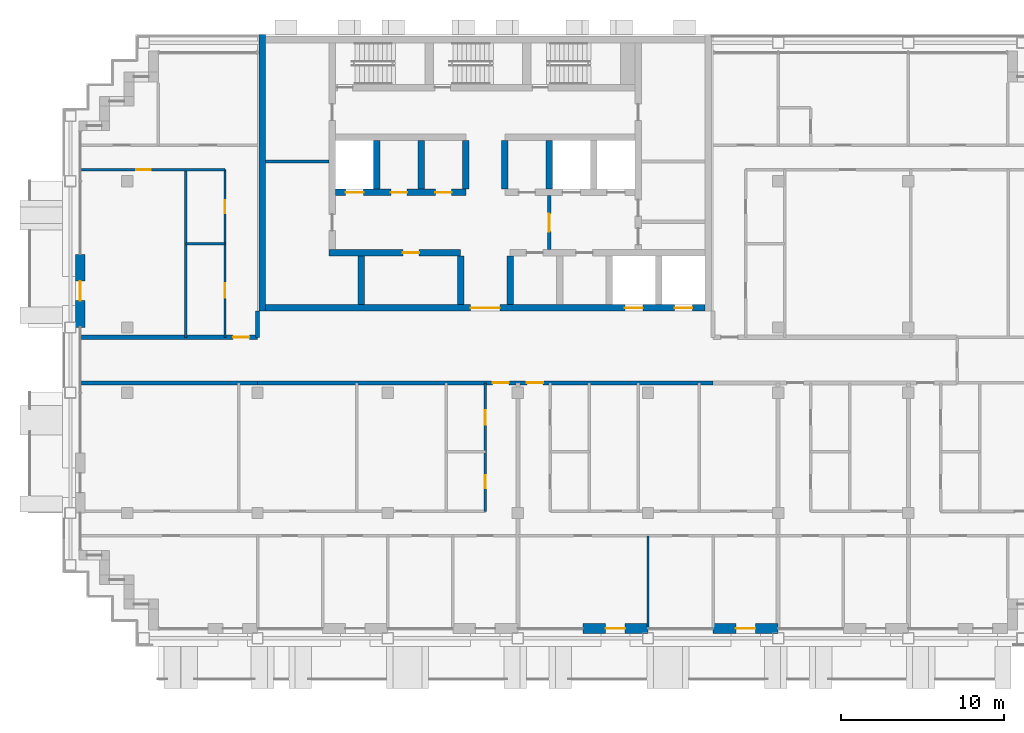
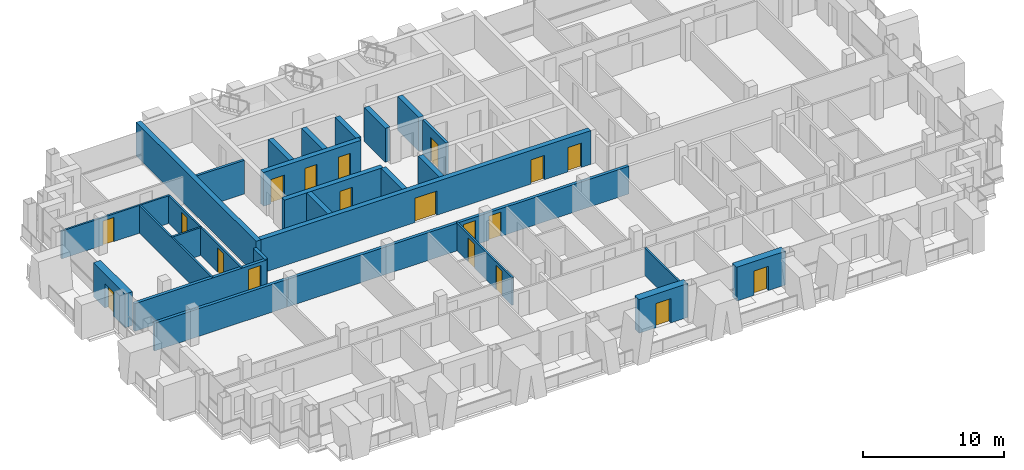
# One storey, part 8 of 16: 27 walls, 19 doors, 19 openings.
"""IFC4 building model written with IfcOpenShell, lengths in metres."""

from ifc_helpers import new_model, si_unit, direction, frame, frame_2d, origin, place, context, subcontext, project, spatial, rectangle, extrude, material, layer, layer_set, type_object, element, fill, save


model = new_model("IFC4")

# Units and contexts
model_context = context("Model", 3, precision=1e-05, world=origin(), true_north=direction((0.0, 1.0)))
body_context = subcontext(model_context, "Body", "Model", "MODEL_VIEW")
ifc_project = project(units=[si_unit("LENGTHUNIT", "METRE"), si_unit("AREAUNIT", "SQUARE_METRE"), si_unit("VOLUMEUNIT", "CUBIC_METRE"), si_unit("PLANEANGLEUNIT", "RADIAN"), si_unit("MASSUNIT", "GRAM", prefix="KILO")], contexts=[model_context])

# Site, building, storey
site_placement = place(None, origin())
site = spatial("IfcSite", under=ifc_project, at=site_placement, CompositionType="ELEMENT")
building_placement = place(site_placement, origin())
building = spatial("IfcBuilding", under=site, at=building_placement, Name="Vidyagriha Tower", CompositionType="ELEMENT")
storey_placement = place(building_placement, frame((0.0, 0.0, 174.89990234375)))
storey = spatial("IfcBuildingStorey", under=building, at=storey_placement, Name="L45", CompositionType="ELEMENT", Elevation=174.89990234375)

# Wall, opening, door
ifc_material_1 = material(Name="Precast concrete C40/50 with brick facing", Category="concrete")
ifc_layer_1 = layer(ifc_material_1, 0.60009765625)
ifc_layer_set_1 = layer_set([ifc_layer_1], Name="Precast concrete C40/50 with brick facing")
wall_type_1 = type_object("IfcWallType", Name="Brick-faced precast wall 600", PredefinedType="STANDARD", material=ifc_layer_set_1)
wall_1_placement = place(storey_placement, frame((-24.89990234375, 6.5, 0.0), z_axis=(0.0, 0.0, 1.0), x_axis=(0.0, -1.0, 0.0)))
wall_1 = element("IfcWall", 1, at=wall_1_placement, inside=storey, type_object=wall_type_1, Name="Brick door bay wall L45 R16.3", PredefinedType="STANDARD", context=body_context, shape_type="SweptSolid", body=[
    extrude(rectangle(XDim=4.5, YDim=0.60009765625, at=frame_2d((2.25, 0.0))), origin(), (0.0, 0.0, 1.0), 2.920166015625),
])
opening_1_placement = place(wall_1_placement, frame((1.64990234375, 0.0, 0.0)))
opening_1 = element("IfcOpeningElement", 2, at=opening_1_placement, cuts=wall_1, Name="Opening D45-67", PredefinedType="OPENING", context=body_context, shape_type="SweptSolid", body=[
    extrude(rectangle(XDim=1.199951171875, YDim=2.10009765625, at=frame_2d((0.60009765625, 1.050048828125))), frame((0.0, 0.31005859375, 0.0), z_axis=(0.0, -1.0, 0.0), x_axis=(1.0, 0.0, 0.0)), (0.0, 0.0, 1.0), 0.6201171875),
])
ifc_material_2 = material(Name="Aluminium framed glazed sliding door", Category="aluminium")
door_type_1 = type_object("IfcDoorType", Name="Balcony sliding door 1200x2100", OperationType="NOTDEFINED", PredefinedType="DOOR", material=ifc_material_2)
door_1_placement = place(opening_1_placement, origin())
door_1 = element("IfcDoor", 3, at=door_1_placement, inside=storey, type_object=door_type_1, Name="Door D45-67", OperationType="SLIDING_TO_LEFT", OverallHeight=2.10009765625, OverallWidth=1.199951171875, PredefinedType="DOOR", context=body_context, shape_type="SweptSolid", body=[
    extrude(rectangle(XDim=1.199951171875, YDim=2.10009765625, at=frame_2d((0.60009765625, 1.050048828125))), frame((0.0, 0.02490234375, 0.0), z_axis=(0.0, -1.0, 0.0), x_axis=(1.0, 0.0, 0.0)), (0.0, 0.0, 1.0), 0.050048828125),
])
fill(opening_1, door_1)

wall_2_placement = place(storey_placement, frame((6.0, -16.5, 0.0)))
wall_2 = element("IfcWall", 4, at=wall_2_placement, inside=storey, type_object=wall_type_1, Name="Brick door bay wall L45 R23.8", PredefinedType="STANDARD", context=body_context, shape_type="SweptSolid", body=[
    extrude(rectangle(XDim=4.0, YDim=0.60009765625, at=frame_2d((2.0, 0.0))), origin(), (0.0, 0.0, 1.0), 2.920166015625),
])
opening_2_placement = place(wall_2_placement, frame((1.39990234375, 0.0, 0.0)))
opening_2 = element("IfcOpeningElement", 5, at=opening_2_placement, cuts=wall_2, Name="Opening D45-72", PredefinedType="OPENING", context=body_context, shape_type="SweptSolid", body=[
    extrude(rectangle(XDim=1.199951171875, YDim=2.10009765625, at=frame_2d((0.60009765625, 1.050048828125))), frame((0.0, 0.31005859375, 0.0), z_axis=(0.0, -1.0, 0.0), x_axis=(1.0, 0.0, 0.0)), (0.0, 0.0, 1.0), 0.6201171875),
])
door_2_placement = place(opening_2_placement, origin())
door_2 = element("IfcDoor", 6, at=door_2_placement, inside=storey, type_object=door_type_1, Name="Door D45-72", OperationType="SLIDING_TO_LEFT", OverallHeight=2.10009765625, OverallWidth=1.199951171875, PredefinedType="DOOR", context=body_context, shape_type="SweptSolid", body=[
    extrude(rectangle(XDim=1.199951171875, YDim=2.10009765625, at=frame_2d((0.60009765625, 1.050048828125))), frame((0.0, 0.02490234375, 0.0), z_axis=(0.0, -1.0, 0.0), x_axis=(1.0, 0.0, 0.0)), (0.0, 0.0, 1.0), 0.050048828125),
])
fill(opening_2, door_2)

wall_3_placement = place(storey_placement, frame((14.0, -16.5, 0.0)))
wall_3 = element("IfcWall", 7, at=wall_3_placement, inside=storey, type_object=wall_type_1, Name="Brick door bay wall L45 R23.10", PredefinedType="STANDARD", context=body_context, shape_type="SweptSolid", body=[
    extrude(rectangle(XDim=4.0, YDim=0.60009765625, at=frame_2d((2.0, 0.0))), origin(), (0.0, 0.0, 1.0), 2.920166015625),
])
opening_3_placement = place(wall_3_placement, frame((1.39990234375, 0.0, 0.0)))
opening_3 = element("IfcOpeningElement", 8, at=opening_3_placement, cuts=wall_3, Name="Opening D45-73", PredefinedType="OPENING", context=body_context, shape_type="SweptSolid", body=[
    extrude(rectangle(XDim=1.199951171875, YDim=2.10009765625, at=frame_2d((0.60009765625, 1.050048828125))), frame((0.0, 0.31005859375, 0.0), z_axis=(0.0, -1.0, 0.0), x_axis=(1.0, 0.0, 0.0)), (0.0, 0.0, 1.0), 0.6201171875),
])
door_3_placement = place(opening_3_placement, origin())
door_3 = element("IfcDoor", 9, at=door_3_placement, inside=storey, type_object=door_type_1, Name="Door D45-73", OperationType="SLIDING_TO_LEFT", OverallHeight=2.10009765625, OverallWidth=1.199951171875, PredefinedType="DOOR", context=body_context, shape_type="SweptSolid", body=[
    extrude(rectangle(XDim=1.199951171875, YDim=2.10009765625, at=frame_2d((0.60009765625, 1.050048828125))), frame((0.0, 0.02490234375, 0.0), z_axis=(0.0, -1.0, 0.0), x_axis=(1.0, 0.0, 0.0)), (0.0, 0.0, 1.0), 0.050048828125),
])
fill(opening_3, door_3)

# Wall
ifc_material_3 = material(Name="Concrete C60/75", Category="concrete")
ifc_layer_2 = layer(ifc_material_3, 0.39990234375)
ifc_layer_set_2 = layer_set([ifc_layer_2], Name="Concrete C60/75")
wall_type_2 = type_object("IfcWallType", Name="Core shear wall 400 mm", PredefinedType="SHEAR", material=ifc_layer_set_2)
wall_4_placement = place(storey_placement, frame((-13.699951171875, 3.0, 0.0), z_axis=(0.0, 0.0, 1.0), x_axis=(0.0, 1.0, 0.0)))
element("IfcWall", 10, at=wall_4_placement, inside=storey, type_object=wall_type_2, Name="Core west wall", PredefinedType="SHEAR", context=body_context, shape_type="SweptSolid", body=[
    extrude(rectangle(XDim=17.0, YDim=0.39990234375, at=frame_2d((8.5, 0.0))), origin(), (0.0, 0.0, 1.0), 2.920166015625),
])

# Wall, openings, doors
wall_5_placement = place(storey_placement, frame((-13.5, 3.199951171875, 0.0)))
wall_5 = element("IfcWall", 11, at=wall_5_placement, inside=storey, type_object=wall_type_2, Name="Core front wall", PredefinedType="SHEAR", context=body_context, shape_type="SweptSolid", body=[
    extrude(rectangle(XDim=27.0, YDim=0.39990234375, at=frame_2d((13.5, 0.0))), origin(), (0.0, 0.0, 1.0), 2.920166015625),
])
opening_4_placement = place(wall_5_placement, frame((22.083251953125, 0.0, 0.0)))
opening_4 = element("IfcOpeningElement", 12, at=opening_4_placement, cuts=wall_5, Name="Opening LD45-01", PredefinedType="OPENING", context=body_context, shape_type="SweptSolid", body=[
    extrude(rectangle(XDim=1.10009765625, YDim=2.10009765625, at=frame_2d((0.550048828125, 1.050048828125))), frame((0.0, 0.2099609375, 0.0), z_axis=(0.0, -1.0, 0.0), x_axis=(1.0, 0.0, 0.0)), (0.0, 0.0, 1.0), 0.419921875),
])
opening_5_placement = place(wall_5_placement, frame((25.127685546875, 0.0, 0.0)))
opening_5 = element("IfcOpeningElement", 13, at=opening_5_placement, cuts=wall_5, Name="Opening LD45-02", PredefinedType="OPENING", context=body_context, shape_type="SweptSolid", body=[
    extrude(rectangle(XDim=1.10009765625, YDim=2.10009765625, at=frame_2d((0.550048828125, 1.050048828125))), frame((0.0, 0.2099609375, 0.0), z_axis=(0.0, -1.0, 0.0), x_axis=(1.0, 0.0, 0.0)), (0.0, 0.0, 1.0), 0.419921875),
])
opening_6_placement = place(wall_5_placement, frame((12.60009765625, 0.0, 0.0)))
opening_6 = element("IfcOpeningElement", 14, at=opening_6_placement, cuts=wall_5, Name="Opening D45-01", PredefinedType="OPENING", context=body_context, shape_type="SweptSolid", body=[
    extrude(rectangle(XDim=1.800048828125, YDim=2.10009765625, at=frame_2d((0.89990234375, 1.050048828125))), frame((0.0, 0.2099609375, 0.0), z_axis=(0.0, -1.0, 0.0), x_axis=(1.0, 0.0, 0.0)), (0.0, 0.0, 1.0), 0.419921875),
])
ifc_material_4 = material(Name="Hollow metal door leaf")
door_type_2 = type_object("IfcDoorType", Name="Core lobby double door 1800 x 2100 mm EI 60", OperationType="NOTDEFINED", PredefinedType="DOOR", material=ifc_material_4)
door_4_placement = place(opening_6_placement, frame((1.800048828125, 0.0, 0.0), z_axis=(0.0, 0.0, 1.0), x_axis=(-1.0, 0.0, 0.0)))
door_4 = element("IfcDoor", 15, at=door_4_placement, inside=storey, type_object=door_type_2, Name="Core entrance door L45", OperationType="DOUBLE_DOOR_SINGLE_SWING", OverallHeight=2.10009765625, OverallWidth=1.800048828125, PredefinedType="DOOR", context=body_context, shape_type="SweptSolid", body=[
    extrude(rectangle(XDim=1.800048828125, YDim=2.10009765625, at=frame_2d((0.89990234375, 1.050048828125))), frame((0.0, 0.02490234375, 0.0), z_axis=(0.0, -1.0, 0.0), x_axis=(1.0, 0.0, 0.0)), (0.0, 0.0, 1.0), 0.050048828125),
])
fill(opening_6, door_4)
ifc_material_5 = material(Name="Stainless steel sliding door panel", Category="steel")
door_type_3 = type_object("IfcDoorType", Name="Lift landing door 1100 x 2100 mm EI 90", OperationType="NOTDEFINED", PredefinedType="DOOR", material=ifc_material_5)
door_5_placement = place(opening_4_placement, origin())
door_5 = element("IfcDoor", 16, at=door_5_placement, inside=storey, type_object=door_type_3, Name="Landing door MR1 L45", OperationType="SLIDING_TO_LEFT", OverallHeight=2.10009765625, OverallWidth=1.10009765625, PredefinedType="DOOR", context=body_context, shape_type="SweptSolid", body=[
    extrude(rectangle(XDim=1.10009765625, YDim=2.10009765625, at=frame_2d((0.550048828125, 1.050048828125))), frame((0.0, 0.02490234375, 0.0), z_axis=(0.0, -1.0, 0.0), x_axis=(1.0, 0.0, 0.0)), (0.0, 0.0, 1.0), 0.050048828125),
])
fill(opening_4, door_5)
door_6_placement = place(opening_5_placement, origin())
door_6 = element("IfcDoor", 17, at=door_6_placement, inside=storey, type_object=door_type_3, Name="Landing door MR2 L45", OperationType="SLIDING_TO_LEFT", OverallHeight=2.10009765625, OverallWidth=1.10009765625, PredefinedType="DOOR", context=body_context, shape_type="SweptSolid", body=[
    extrude(rectangle(XDim=1.10009765625, YDim=2.10009765625, at=frame_2d((0.550048828125, 1.050048828125))), frame((0.0, 0.02490234375, 0.0), z_axis=(0.0, -1.0, 0.0), x_axis=(1.0, 0.0, 0.0)), (0.0, 0.0, 1.0), 0.050048828125),
])
fill(opening_5, door_6)

# Wall, opening, door
wall_6_placement = place(storey_placement, frame((-9.60009765625, 6.60009765625, 0.0)))
wall_6 = element("IfcWall", 18, at=wall_6_placement, inside=storey, type_object=wall_type_2, Name="Core lobby south wall west", PredefinedType="SHEAR", context=body_context, shape_type="SweptSolid", body=[
    extrude(rectangle(XDim=8.077880859375, YDim=0.39990234375, at=frame_2d((4.0390625, 0.0))), origin(), (0.0, 0.0, 1.0), 2.920166015625),
])
opening_7_placement = place(wall_6_placement, frame((4.533203125, 0.0, 0.0)))
opening_7 = element("IfcOpeningElement", 19, at=opening_7_placement, cuts=wall_6, Name="Opening D45-02", PredefinedType="OPENING", context=body_context, shape_type="SweptSolid", body=[
    extrude(rectangle(XDim=1.0, YDim=2.10009765625, at=frame_2d((0.5, 1.050048828125))), frame((0.0, 0.2099609375, 0.0), z_axis=(0.0, -1.0, 0.0), x_axis=(1.0, 0.0, 0.0)), (0.0, 0.0, 1.0), 0.419921875),
])
ifc_material_6 = material(Name="Hollow metal door leaf")
door_type_4 = type_object("IfcDoorType", Name="Core room door 1000 x 2100 mm EI 60", OperationType="NOTDEFINED", PredefinedType="DOOR", material=ifc_material_6)
door_7_placement = place(opening_7_placement, origin())
door_7 = element("IfcDoor", 20, at=door_7_placement, inside=storey, type_object=door_type_4, Name="Door Cleaners Store 45.01", OperationType="SINGLE_SWING_RIGHT", OverallHeight=2.10009765625, OverallWidth=1.0, PredefinedType="DOOR", context=body_context, shape_type="SweptSolid", body=[
    extrude(rectangle(XDim=1.0, YDim=2.10009765625, at=frame_2d((0.5, 1.050048828125))), frame((0.0, 0.02490234375, 0.0), z_axis=(0.0, -1.0, 0.0), x_axis=(1.0, 0.0, 0.0)), (0.0, 0.0, 1.0), 0.050048828125),
])
fill(opening_7, door_7)

# Walls
for number, where, z_axis, x_axis, name in (
    (21, (-7.611083984375, 3.39990234375, 0.0), (0.0, 0.0, 1.0), (0.0, 1.0, 0.0), "Core bay wall S2"),
    (22, (-1.522216796875, 3.39990234375, 0.0), (0.0, 0.0, 1.0), (0.0, 1.0, 0.0), "Core bay wall S4"),
    (23, (1.522216796875, 3.39990234375, 0.0), (0.0, 0.0, 1.0), (0.0, 1.0, 0.0), "Core bay wall S5"),
):
    element("IfcWall", number, at=place(storey_placement, frame(where, z_axis=z_axis, x_axis=x_axis)), inside=storey, type_object=wall_type_2, Name=name, PredefinedType="SHEAR", context=body_context, shape_type="SweptSolid", body=[
        extrude(rectangle(XDim=3.0, YDim=0.39990234375, at=frame_2d((1.5, 0.0))), origin(), (0.0, 0.0, 1.0), 2.920166015625),
    ])

# Wall, openings, doors
wall_7_placement = place(storey_placement, frame((-9.199951171875, 10.300048828125, 0.0)))
wall_7 = element("IfcWall", 24, at=wall_7_placement, inside=storey, type_object=wall_type_2, Name="Core row N front wall", PredefinedType="SHEAR", context=body_context, shape_type="SweptSolid", body=[
    extrude(rectangle(XDim=8.0, YDim=0.39990234375, at=frame_2d((4.0, 0.0))), origin(), (0.0, 0.0, 1.0), 2.920166015625),
])
opening_8_placement = place(wall_7_placement, frame((0.61669921875, 0.0, 0.0)))
opening_8 = element("IfcOpeningElement", 25, at=opening_8_placement, cuts=wall_7, Name="Opening LD45-03", PredefinedType="OPENING", context=body_context, shape_type="SweptSolid", body=[
    extrude(rectangle(XDim=1.10009765625, YDim=2.10009765625, at=frame_2d((0.550048828125, 1.050048828125))), frame((0.0, 0.2099609375, 0.0), z_axis=(0.0, -1.0, 0.0), x_axis=(1.0, 0.0, 0.0)), (0.0, 0.0, 1.0), 0.419921875),
])
opening_9_placement = place(wall_7_placement, frame((3.39990234375, 0.0, 0.0)))
opening_9 = element("IfcOpeningElement", 26, at=opening_9_placement, cuts=wall_7, Name="Opening D45-05", PredefinedType="OPENING", context=body_context, shape_type="SweptSolid", body=[
    extrude(rectangle(XDim=1.0, YDim=2.10009765625, at=frame_2d((0.5, 1.050048828125))), frame((0.0, 0.2099609375, 0.0), z_axis=(0.0, -1.0, 0.0), x_axis=(1.0, 0.0, 0.0)), (0.0, 0.0, 1.0), 0.419921875),
])
opening_10_placement = place(wall_7_placement, frame((6.13330078125, 0.0, 0.0)))
opening_10 = element("IfcOpeningElement", 27, at=opening_10_placement, cuts=wall_7, Name="Opening D45-06", PredefinedType="OPENING", context=body_context, shape_type="SweptSolid", body=[
    extrude(rectangle(XDim=1.0, YDim=2.10009765625, at=frame_2d((0.5, 1.050048828125))), frame((0.0, 0.2099609375, 0.0), z_axis=(0.0, -1.0, 0.0), x_axis=(1.0, 0.0, 0.0)), (0.0, 0.0, 1.0), 0.419921875),
])
door_8_placement = place(opening_9_placement, frame((1.0, 0.0, 0.0), z_axis=(0.0, 0.0, 1.0), x_axis=(-1.0, 0.0, 0.0)))
door_8 = element("IfcDoor", 28, at=door_8_placement, inside=storey, type_object=door_type_4, Name="Door Storage Room 45.14", OperationType="SINGLE_SWING_RIGHT", OverallHeight=2.10009765625, OverallWidth=1.0, PredefinedType="DOOR", context=body_context, shape_type="SweptSolid", body=[
    extrude(rectangle(XDim=1.0, YDim=2.10009765625, at=frame_2d((0.5, 1.050048828125))), frame((0.0, 0.02490234375, 0.0), z_axis=(0.0, -1.0, 0.0), x_axis=(1.0, 0.0, 0.0)), (0.0, 0.0, 1.0), 0.050048828125),
])
fill(opening_9, door_8)
door_9_placement = place(opening_10_placement, frame((1.0, 0.0, 0.0), z_axis=(0.0, 0.0, 1.0), x_axis=(-1.0, 0.0, 0.0)))
door_9 = element("IfcDoor", 29, at=door_9_placement, inside=storey, type_object=door_type_4, Name="Door Communications Room 45.15", OperationType="SINGLE_SWING_LEFT", OverallHeight=2.10009765625, OverallWidth=1.0, PredefinedType="DOOR", context=body_context, shape_type="SweptSolid", body=[
    extrude(rectangle(XDim=1.0, YDim=2.10009765625, at=frame_2d((0.5, 1.050048828125))), frame((0.0, 0.02490234375, 0.0), z_axis=(0.0, -1.0, 0.0), x_axis=(1.0, 0.0, 0.0)), (0.0, 0.0, 1.0), 0.050048828125),
])
fill(opening_10, door_9)
door_10_placement = place(opening_8_placement, origin())
door_10 = element("IfcDoor", 30, at=door_10_placement, inside=storey, type_object=door_type_3, Name="Landing door MR3 L45", OperationType="SLIDING_TO_LEFT", OverallHeight=2.10009765625, OverallWidth=1.10009765625, PredefinedType="DOOR", context=body_context, shape_type="SweptSolid", body=[
    extrude(rectangle(XDim=1.10009765625, YDim=2.10009765625, at=frame_2d((0.550048828125, 1.050048828125))), frame((0.0, 0.02490234375, 0.0), z_axis=(0.0, -1.0, 0.0), x_axis=(1.0, 0.0, 0.0)), (0.0, 0.0, 1.0), 0.050048828125),
])
fill(opening_8, door_10)

# Walls
for number, where, z_axis, x_axis, name in (
    (31, (-6.666748046875, 10.5, 0.0), (0.0, 0.0, 1.0), (0.0, 1.0, 0.0), "Core bay wall N1"),
    (32, (-3.933349609375, 10.5, 0.0), (0.0, 0.0, 1.0), (0.0, 1.0, 0.0), "Core bay wall N2"),
    (33, (-1.199951171875, 10.5, 0.0), (0.0, 0.0, 1.0), (0.0, 1.0, 0.0), "Core bay wall N3"),
    (34, (1.199951171875, 10.5, 0.0), (0.0, 0.0, 1.0), (0.0, 1.0, 0.0), "Core bay wall N4"),
    (35, (3.933349609375, 10.5, 0.0), (0.0, 0.0, 1.0), (0.0, 1.0, 0.0), "Core bay wall N5"),
):
    element("IfcWall", number, at=place(storey_placement, frame(where, z_axis=z_axis, x_axis=x_axis)), inside=storey, type_object=wall_type_2, Name=name, PredefinedType="SHEAR", context=body_context, shape_type="SweptSolid", body=[
        extrude(rectangle(XDim=3.0, YDim=0.39990234375, at=frame_2d((1.5, 0.0))), origin(), (0.0, 0.0, 1.0), 2.920166015625),
    ])
ifc_material_7 = material(Name="Fired clay brick masonry", Category="masonry")
ifc_layer_3 = layer(ifc_material_7, 0.25)
ifc_layer_set_3 = layer_set([ifc_layer_3], Name="Fired clay brick masonry")
wall_type_3 = type_object("IfcWallType", Name="Fired clay brick corridor wall 250", PredefinedType="PARTITIONING", material=ifc_layer_set_3)
wall_8_placement = place(storey_placement, frame((-14.0, -1.39990234375, 0.0), z_axis=(0.0, 0.0, 1.0), x_axis=(-1.0, 0.0, 0.0)))
element("IfcWall", 36, at=wall_8_placement, inside=storey, type_object=wall_type_3, Name="Wall all-L45-w068", PredefinedType="PARTITIONING", context=body_context, shape_type="SweptSolid", body=[
    extrude(rectangle(XDim=10.820068359375, YDim=0.25, at=frame_2d((5.41015625, 0.0))), origin(), (0.0, 0.0, 1.0), 2.400146484375),
])

# Wall, opening, door
wall_9_placement = place(storey_placement, frame((-24.820068359375, 1.39990234375, 0.0)))
wall_9 = element("IfcWall", 37, at=wall_9_placement, inside=storey, type_object=wall_type_3, Name="Wall all-L45-w083", PredefinedType="PARTITIONING", context=body_context, shape_type="SweptSolid", body=[
    extrude(rectangle(XDim=10.820068359375, YDim=0.25, at=frame_2d((5.41015625, 0.0))), origin(), (0.0, 0.0, 1.0), 2.400146484375),
])
opening_11_placement = place(wall_9_placement, frame((9.320068359375, 0.0, 0.0)))
opening_11 = element("IfcOpeningElement", 38, at=opening_11_placement, cuts=wall_9, Name="Opening D45-54", PredefinedType="OPENING", context=body_context, shape_type="SweptSolid", body=[
    extrude(rectangle(XDim=1.0, YDim=2.10009765625, at=frame_2d((0.5, 1.050048828125))), frame((0.0, 0.135009765625, 0.0), z_axis=(0.0, -1.0, 0.0), x_axis=(1.0, 0.0, 0.0)), (0.0, 0.0, 1.0), 0.27001953125),
])
ifc_material_8 = material(Name="Fire-rated timber door leaf EI 60", Category="wood")
door_type_5 = type_object("IfcDoorType", Name="Flat entrance fire door 1000x2100", OperationType="NOTDEFINED", PredefinedType="DOOR", material=ifc_material_8)
door_11_placement = place(opening_11_placement, origin())
door_11 = element("IfcDoor", 39, at=door_11_placement, inside=storey, type_object=door_type_5, Name="Door D45-54", OperationType="SINGLE_SWING_RIGHT", OverallHeight=2.10009765625, OverallWidth=1.0, PredefinedType="DOOR", context=body_context, shape_type="SweptSolid", body=[
    extrude(rectangle(XDim=1.0, YDim=2.10009765625, at=frame_2d((0.5, 1.050048828125))), frame((0.0, 0.02490234375, 0.0), z_axis=(0.0, -1.0, 0.0), x_axis=(1.0, 0.0, 0.0)), (0.0, 0.0, 1.0), 0.050048828125),
])
fill(opening_11, door_11)

# Wall, openings, doors
wall_10_placement = place(storey_placement, frame((14.0, -1.39990234375, 0.0), z_axis=(0.0, 0.0, 1.0), x_axis=(-1.0, 0.0, 0.0)))
wall_10 = element("IfcWall", 40, at=wall_10_placement, inside=storey, type_object=wall_type_3, Name="Wall all-L45-w111", PredefinedType="PARTITIONING", context=body_context, shape_type="SweptSolid", body=[
    extrude(rectangle(XDim=28.0, YDim=0.25, at=frame_2d((14.0, 0.0))), origin(), (0.0, 0.0, 1.0), 2.400146484375),
])
opening_12_placement = place(wall_10_placement, frame((12.547119140625, 0.0, 0.0)))
opening_12 = element("IfcOpeningElement", 41, at=opening_12_placement, cuts=wall_10, Name="Opening D45-27", PredefinedType="OPENING", context=body_context, shape_type="SweptSolid", body=[
    extrude(rectangle(XDim=1.0, YDim=2.10009765625, at=frame_2d((0.5, 1.050048828125))), frame((0.0, 0.135009765625, 0.0), z_axis=(0.0, -1.0, 0.0), x_axis=(1.0, 0.0, 0.0)), (0.0, 0.0, 1.0), 0.27001953125),
])
opening_13_placement = place(wall_10_placement, frame((10.452880859375, 0.0, 0.0)))
opening_13 = element("IfcOpeningElement", 42, at=opening_13_placement, cuts=wall_10, Name="Opening D45-36", PredefinedType="OPENING", context=body_context, shape_type="SweptSolid", body=[
    extrude(rectangle(XDim=1.0, YDim=2.10009765625, at=frame_2d((0.5, 1.050048828125))), frame((0.0, 0.135009765625, 0.0), z_axis=(0.0, -1.0, 0.0), x_axis=(1.0, 0.0, 0.0)), (0.0, 0.0, 1.0), 0.27001953125),
])
door_12_placement = place(opening_12_placement, origin())
door_12 = element("IfcDoor", 43, at=door_12_placement, inside=storey, type_object=door_type_5, Name="Door D45-27", OperationType="SINGLE_SWING_LEFT", OverallHeight=2.10009765625, OverallWidth=1.0, PredefinedType="DOOR", context=body_context, shape_type="SweptSolid", body=[
    extrude(rectangle(XDim=1.0, YDim=2.10009765625, at=frame_2d((0.5, 1.050048828125))), frame((0.0, 0.02490234375, 0.0), z_axis=(0.0, -1.0, 0.0), x_axis=(1.0, 0.0, 0.0)), (0.0, 0.0, 1.0), 0.050048828125),
])
fill(opening_12, door_12)
door_13_placement = place(opening_13_placement, origin())
door_13 = element("IfcDoor", 44, at=door_13_placement, inside=storey, type_object=door_type_5, Name="Door D45-36", OperationType="SINGLE_SWING_RIGHT", OverallHeight=2.10009765625, OverallWidth=1.0, PredefinedType="DOOR", context=body_context, shape_type="SweptSolid", body=[
    extrude(rectangle(XDim=1.0, YDim=2.10009765625, at=frame_2d((0.5, 1.050048828125))), frame((0.0, 0.02490234375, 0.0), z_axis=(0.0, -1.0, 0.0), x_axis=(1.0, 0.0, 0.0)), (0.0, 0.0, 1.0), 0.050048828125),
])
fill(opening_13, door_13)

# Walls
wall_11_placement = place(storey_placement, frame((-14.0, 3.0, 0.0), z_axis=(0.0, 0.0, 1.0), x_axis=(0.0, -1.0, 0.0)))
element("IfcWall", 45, at=wall_11_placement, inside=storey, type_object=wall_type_3, Name="Wall all-L45-w112", PredefinedType="PARTITIONING", context=body_context, shape_type="SweptSolid", body=[
    extrude(rectangle(XDim=1.60009765625, YDim=0.25, at=frame_2d((0.800048828125, 0.0))), origin(), (0.0, 0.0, 1.0), 2.400146484375),
])
ifc_material_9 = material(Name="Gypsum board partition")
ifc_layer_4 = layer(ifc_material_9, 0.14990234375)
ifc_layer_set_4 = layer_set([ifc_layer_4], Name="Gypsum board partition")
wall_type_4 = type_object("IfcWallType", Name="Gypsum board partition 150", PredefinedType="PARTITIONING", material=ifc_layer_set_4)
wall_12_placement = place(storey_placement, frame((10.0, -10.800048828125, 0.0), z_axis=(0.0, 0.0, 1.0), x_axis=(0.0, -1.0, 0.0)))
element("IfcWall", 46, at=wall_12_placement, inside=storey, type_object=wall_type_4, Name="Wall all-L45-w038", PredefinedType="PARTITIONING", context=body_context, shape_type="SweptSolid", body=[
    extrude(rectangle(XDim=5.60986328125, YDim=0.14990234375, at=frame_2d((2.804931640625, 0.0))), origin(), (0.0, 0.0, 1.0), 2.400146484375),
])
wall_13_placement = place(storey_placement, frame((-18.39990234375, 7.14990234375, 0.0)))
element("IfcWall", 47, at=wall_13_placement, inside=storey, type_object=wall_type_4, Name="Wall all-L45-w074", PredefinedType="PARTITIONING", context=body_context, shape_type="SweptSolid", body=[
    extrude(rectangle(XDim=2.39990234375, YDim=0.14990234375, at=frame_2d((1.199951171875, 0.0))), origin(), (0.0, 0.0, 1.0), 2.400146484375),
])
wall_14_placement = place(storey_placement, frame((-18.39990234375, 1.39990234375, 0.0), z_axis=(0.0, 0.0, 1.0), x_axis=(0.0, 1.0, 0.0)))
element("IfcWall", 48, at=wall_14_placement, inside=storey, type_object=wall_type_4, Name="Wall all-L45-w075", PredefinedType="PARTITIONING", context=body_context, shape_type="SweptSolid", body=[
    extrude(rectangle(XDim=10.300048828125, YDim=0.14990234375, at=frame_2d((5.14990234375, 0.0))), origin(), (0.0, 0.0, 1.0), 2.400146484375),
])

# Wall, opening, door
wall_15_placement = place(storey_placement, frame((-16.0, 11.699951171875, 0.0), z_axis=(0.0, 0.0, 1.0), x_axis=(-1.0, 0.0, 0.0)))
wall_15 = element("IfcWall", 49, at=wall_15_placement, inside=storey, type_object=wall_type_4, Name="Wall all-L45-w076", PredefinedType="PARTITIONING", context=body_context, shape_type="SweptSolid", body=[
    extrude(rectangle(XDim=8.820068359375, YDim=0.14990234375, at=frame_2d((4.41015625, 0.0))), origin(), (0.0, 0.0, 1.0), 2.400146484375),
])
opening_14_placement = place(wall_15_placement, frame((4.552978515625, 0.0, 0.0)))
opening_14 = element("IfcOpeningElement", 50, at=opening_14_placement, cuts=wall_15, Name="Opening D45-51", PredefinedType="OPENING", context=body_context, shape_type="SweptSolid", body=[
    extrude(rectangle(XDim=0.89990234375, YDim=2.10009765625, at=frame_2d((0.449951171875, 1.050048828125))), frame((0.0, 0.0849609375, 0.0), z_axis=(0.0, -1.0, 0.0), x_axis=(1.0, 0.0, 0.0)), (0.0, 0.0, 1.0), 0.169921875),
])
ifc_material_10 = material(Name="Timber door leaf", Category="wood")
door_type_6 = type_object("IfcDoorType", Name="Room door 900x2100", OperationType="NOTDEFINED", PredefinedType="DOOR", material=ifc_material_10)
door_14_placement = place(opening_14_placement, origin())
door_14 = element("IfcDoor", 51, at=door_14_placement, inside=storey, type_object=door_type_6, Name="Door D45-51", OperationType="SINGLE_SWING_LEFT", OverallHeight=2.10009765625, OverallWidth=0.89990234375, PredefinedType="DOOR", context=body_context, shape_type="SweptSolid", body=[
    extrude(rectangle(XDim=0.89990234375, YDim=2.10009765625, at=frame_2d((0.449951171875, 1.050048828125))), frame((0.0, 0.02490234375, 0.0), z_axis=(0.0, -1.0, 0.0), x_axis=(1.0, 0.0, 0.0)), (0.0, 0.0, 1.0), 0.050048828125),
])
fill(opening_14, door_14)

# Wall, openings, doors
ifc_material_11 = material(Name="Moisture resistant gypsum board partition")
ifc_layer_5 = layer(ifc_material_11, 0.14990234375)
ifc_layer_set_5 = layer_set([ifc_layer_5], Name="Moisture resistant gypsum board partition")
wall_type_5 = type_object("IfcWallType", Name="Gypsum board wet-area partition 150", PredefinedType="PARTITIONING", material=ifc_layer_set_5)
wall_16_placement = place(storey_placement, frame((0.0, -9.300048828125, 0.0), z_axis=(0.0, 0.0, 1.0), x_axis=(0.0, 1.0, 0.0)))
wall_16 = element("IfcWall", 52, at=wall_16_placement, inside=storey, type_object=wall_type_5, Name="Wall all-L45-w001", PredefinedType="PARTITIONING", context=body_context, shape_type="SweptSolid", body=[
    extrude(rectangle(XDim=7.900146484375, YDim=0.14990234375, at=frame_2d((3.9501953125, 0.0))), origin(), (0.0, 0.0, 1.0), 2.400146484375),
])
opening_15_placement = place(wall_16_placement, frame((5.324951171875, 0.0, 0.0)))
opening_15 = element("IfcOpeningElement", 53, at=opening_15_placement, cuts=wall_16, Name="Opening D45-17", PredefinedType="OPENING", context=body_context, shape_type="SweptSolid", body=[
    extrude(rectangle(XDim=0.89990234375, YDim=2.10009765625, at=frame_2d((0.449951171875, 1.050048828125))), frame((0.0, 0.0849609375, 0.0), z_axis=(0.0, -1.0, 0.0), x_axis=(1.0, 0.0, 0.0)), (0.0, 0.0, 1.0), 0.169921875),
])
opening_16_placement = place(wall_16_placement, frame((1.425048828125, 0.0, 0.0)))
opening_16 = element("IfcOpeningElement", 54, at=opening_16_placement, cuts=wall_16, Name="Opening D45-18", PredefinedType="OPENING", context=body_context, shape_type="SweptSolid", body=[
    extrude(rectangle(XDim=0.800048828125, YDim=2.10009765625, at=frame_2d((0.39990234375, 1.050048828125))), frame((0.0, 0.0849609375, 0.0), z_axis=(0.0, -1.0, 0.0), x_axis=(1.0, 0.0, 0.0)), (0.0, 0.0, 1.0), 0.169921875),
])
ifc_material_12 = material(Name="Timber door leaf", Category="wood")
door_type_7 = type_object("IfcDoorType", Name="Bathroom door 800x2100", OperationType="NOTDEFINED", PredefinedType="DOOR", material=ifc_material_12)
door_15_placement = place(opening_16_placement, origin())
door_15 = element("IfcDoor", 55, at=door_15_placement, inside=storey, type_object=door_type_7, Name="Door D45-18", OperationType="SINGLE_SWING_RIGHT", OverallHeight=2.10009765625, OverallWidth=0.800048828125, PredefinedType="DOOR", context=body_context, shape_type="SweptSolid", body=[
    extrude(rectangle(XDim=0.800048828125, YDim=2.10009765625, at=frame_2d((0.39990234375, 1.050048828125))), frame((0.0, 0.02490234375, 0.0), z_axis=(0.0, -1.0, 0.0), x_axis=(1.0, 0.0, 0.0)), (0.0, 0.0, 1.0), 0.050048828125),
])
fill(opening_16, door_15)
ifc_material_13 = material(Name="Timber door leaf", Category="wood")
door_type_8 = type_object("IfcDoorType", Name="Kitchen door 900x2100", OperationType="NOTDEFINED", PredefinedType="DOOR", material=ifc_material_13)
door_16_placement = place(opening_15_placement, origin())
door_16 = element("IfcDoor", 56, at=door_16_placement, inside=storey, type_object=door_type_8, Name="Door D45-17", OperationType="SINGLE_SWING_LEFT", OverallHeight=2.10009765625, OverallWidth=0.89990234375, PredefinedType="DOOR", context=body_context, shape_type="SweptSolid", body=[
    extrude(rectangle(XDim=0.89990234375, YDim=2.10009765625, at=frame_2d((0.449951171875, 1.050048828125))), frame((0.0, 0.02490234375, 0.0), z_axis=(0.0, -1.0, 0.0), x_axis=(1.0, 0.0, 0.0)), (0.0, 0.0, 1.0), 0.050048828125),
])
fill(opening_15, door_16)

wall_17_placement = place(storey_placement, frame((-16.0, 1.39990234375, 0.0), z_axis=(0.0, 0.0, 1.0), x_axis=(0.0, 1.0, 0.0)))
wall_17 = element("IfcWall", 57, at=wall_17_placement, inside=storey, type_object=wall_type_5, Name="Wall all-L45-w071", PredefinedType="PARTITIONING", context=body_context, shape_type="SweptSolid", body=[
    extrude(rectangle(XDim=10.300048828125, YDim=0.14990234375, at=frame_2d((5.14990234375, 0.0))), origin(), (0.0, 0.0, 1.0), 2.400146484375),
])
opening_17_placement = place(wall_17_placement, frame((2.425048828125, 0.0, 0.0)))
opening_17 = element("IfcOpeningElement", 58, at=opening_17_placement, cuts=wall_17, Name="Opening D45-49", PredefinedType="OPENING", context=body_context, shape_type="SweptSolid", body=[
    extrude(rectangle(XDim=0.89990234375, YDim=2.10009765625, at=frame_2d((0.449951171875, 1.050048828125))), frame((0.0, 0.0849609375, 0.0), z_axis=(0.0, -1.0, 0.0), x_axis=(1.0, 0.0, 0.0)), (0.0, 0.0, 1.0), 0.169921875),
])
opening_18_placement = place(wall_17_placement, frame((7.625, 0.0, 0.0)))
opening_18 = element("IfcOpeningElement", 59, at=opening_18_placement, cuts=wall_17, Name="Opening D45-50", PredefinedType="OPENING", context=body_context, shape_type="SweptSolid", body=[
    extrude(rectangle(XDim=0.800048828125, YDim=2.10009765625, at=frame_2d((0.39990234375, 1.050048828125))), frame((0.0, 0.0849609375, 0.0), z_axis=(0.0, -1.0, 0.0), x_axis=(1.0, 0.0, 0.0)), (0.0, 0.0, 1.0), 0.169921875),
])
door_17_placement = place(opening_18_placement, origin())
door_17 = element("IfcDoor", 60, at=door_17_placement, inside=storey, type_object=door_type_7, Name="Door D45-50", OperationType="SINGLE_SWING_RIGHT", OverallHeight=2.10009765625, OverallWidth=0.800048828125, PredefinedType="DOOR", context=body_context, shape_type="SweptSolid", body=[
    extrude(rectangle(XDim=0.800048828125, YDim=2.10009765625, at=frame_2d((0.39990234375, 1.050048828125))), frame((0.0, 0.02490234375, 0.0), z_axis=(0.0, -1.0, 0.0), x_axis=(1.0, 0.0, 0.0)), (0.0, 0.0, 1.0), 0.050048828125),
])
fill(opening_18, door_17)
door_18_placement = place(opening_17_placement, origin())
door_18 = element("IfcDoor", 61, at=door_18_placement, inside=storey, type_object=door_type_8, Name="Door D45-49", OperationType="SINGLE_SWING_RIGHT", OverallHeight=2.10009765625, OverallWidth=0.89990234375, PredefinedType="DOOR", context=body_context, shape_type="SweptSolid", body=[
    extrude(rectangle(XDim=0.89990234375, YDim=2.10009765625, at=frame_2d((0.449951171875, 1.050048828125))), frame((0.0, 0.02490234375, 0.0), z_axis=(0.0, -1.0, 0.0), x_axis=(1.0, 0.0, 0.0)), (0.0, 0.0, 1.0), 0.050048828125),
])
fill(opening_17, door_18)

# Wall, opening, door
ifc_material_14 = material(Name="Blockwork 15 MPa", Category="masonry")
ifc_layer_6 = layer(ifc_material_14, 0.199951171875)
ifc_layer_set_6 = layer_set([ifc_layer_6], Name="Blockwork 15 MPa")
wall_type_6 = type_object("IfcWallType", Name="Service room partition 200 mm", PredefinedType="PARTITIONING", material=ifc_layer_set_6)
wall_18_placement = place(storey_placement, frame((3.933349609375, 6.800048828125, 0.0), z_axis=(0.0, 0.0, 1.0), x_axis=(0.0, 1.0, 0.0)))
wall_18 = element("IfcWall", 62, at=wall_18_placement, inside=storey, type_object=wall_type_6, Name="Fire-fighting lobby west wall", PredefinedType="PARTITIONING", context=body_context, shape_type="SweptSolid", body=[
    extrude(rectangle(XDim=3.300048828125, YDim=0.199951171875, at=frame_2d((1.64990234375, 0.0))), origin(), (0.0, 0.0, 1.0), 2.920166015625),
])
opening_19_placement = place(wall_18_placement, frame((1.10009765625, 0.0, 0.0)))
opening_19 = element("IfcOpeningElement", 63, at=opening_19_placement, cuts=wall_18, Name="Opening D45-08", PredefinedType="OPENING", context=body_context, shape_type="SweptSolid", body=[
    extrude(rectangle(XDim=1.10009765625, YDim=2.10009765625, at=frame_2d((0.550048828125, 1.050048828125))), frame((0.0, 0.10986328125, 0.0), z_axis=(0.0, -1.0, 0.0), x_axis=(1.0, 0.0, 0.0)), (0.0, 0.0, 1.0), 0.219970703125),
])
ifc_material_15 = material(Name="Hollow metal door leaf")
door_type_9 = type_object("IfcDoorType", Name="Fire-fighting lobby door 1100 x 2100 mm EI 90", OperationType="NOTDEFINED", PredefinedType="DOOR", material=ifc_material_15)
door_19_placement = place(opening_19_placement, origin())
door_19 = element("IfcDoor", 64, at=door_19_placement, inside=storey, type_object=door_type_9, Name="Fire-fighting lobby door L45", OperationType="SINGLE_SWING_RIGHT", OverallHeight=2.10009765625, OverallWidth=1.10009765625, PredefinedType="DOOR", context=body_context, shape_type="SweptSolid", body=[
    extrude(rectangle(XDim=1.10009765625, YDim=2.10009765625, at=frame_2d((0.550048828125, 1.050048828125))), frame((0.0, 0.02490234375, 0.0), z_axis=(0.0, -1.0, 0.0), x_axis=(1.0, 0.0, 0.0)), (0.0, 0.0, 1.0), 0.050048828125),
])
fill(opening_19, door_19)

# Wall
wall_19_placement = place(storey_placement, frame((-13.5, 12.199951171875, 0.0)))
element("IfcWall", 65, at=wall_19_placement, inside=storey, type_object=wall_type_6, Name="Core room partition W1", PredefinedType="PARTITIONING", context=body_context, shape_type="SweptSolid", body=[
    extrude(rectangle(XDim=3.89990234375, YDim=0.199951171875, at=frame_2d((1.949951171875, 0.0))), origin(), (0.0, 0.0, 1.0), 2.920166015625),
])

save(model, "model.ifc")
